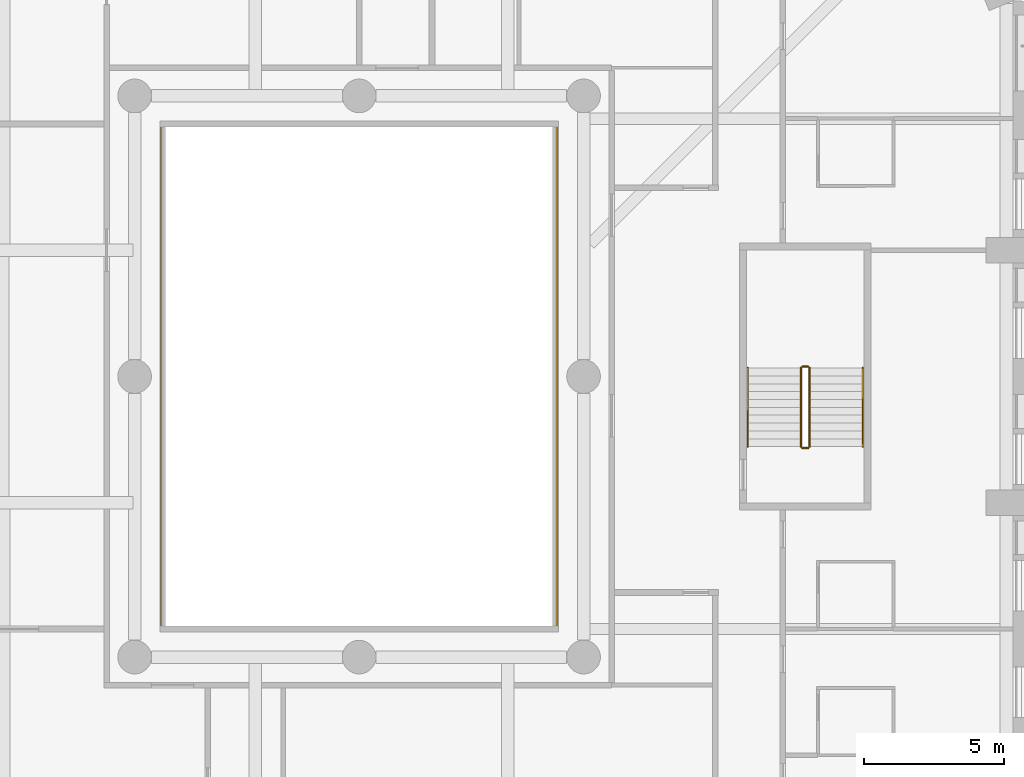
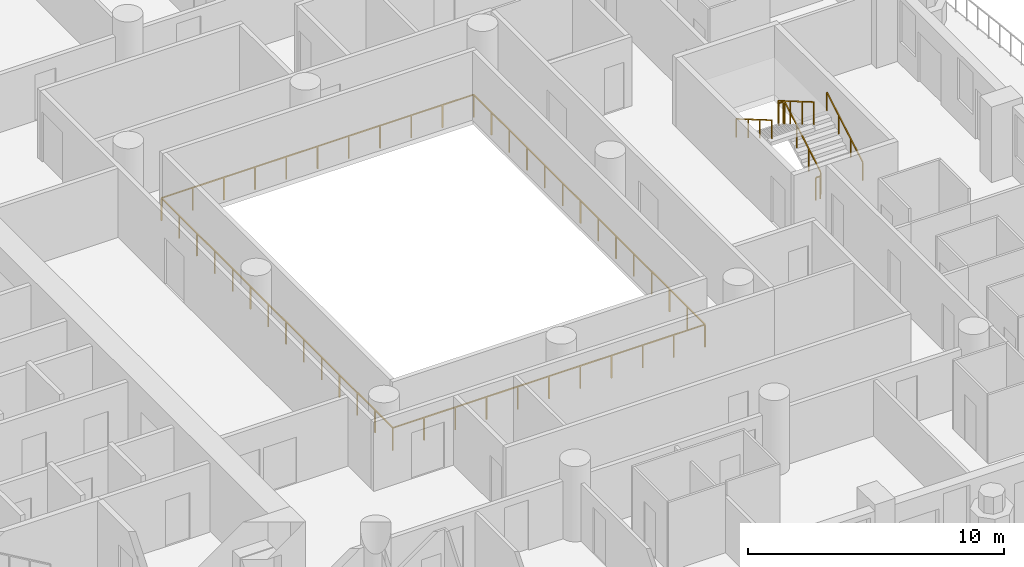
# One storey, part 15 of 20: 7 railings.
"""IFC4 building model written with IfcOpenShell, lengths in metres."""

import ifcopenshell
import ifcopenshell.guid

model = None  # the IFC model being written
_history = None  # IfcOwnerHistory: only IFC2X3 demands one
_inside = {}  # id of a spatial element -> (the spatial element, [elements in it])
_under = {}  # id of a project, library or spatial element -> (it, [spatial elements below it])
_declared = {}  # id of a project -> (the project, [libraries it declares])
_typed = {}  # id of a type object -> (the type object, [elements of that type])
_made_of = {}  # id of a material, layer set ... -> (it, [elements and type objects made of it])


def new_model(schema):
    """Start an empty IFC model of exactly this schema.

    Asked for "IFC4X3", IfcOpenShell would pick the latest addendum, in which some entities
    have other attributes; the version numbers below select the first issue.
    IFC2X3 requires an IfcOwnerHistory on every rooted entity: one is made here for all.
    """
    global model, _history
    if schema == "IFC4X3":
        model = ifcopenshell.file(schema_version=(4, 3, 0, 0))
    else:
        model = ifcopenshell.file(schema=schema)
    _inside.clear()
    _under.clear()
    _declared.clear()
    _typed.clear()
    _made_of.clear()
    _history = None
    if model.schema == "IFC2X3":
        org = make("IfcOrganization", Name="unknown")
        user = make(
            "IfcPersonAndOrganization",
            ThePerson=make("IfcPerson", FamilyName="unknown"),
            TheOrganization=org,
        )
        app = make(
            "IfcApplication",
            ApplicationDeveloper=org,
            Version="unknown",
            ApplicationFullName="unknown",
            ApplicationIdentifier="unknown",
        )
        _history = make(
            "IfcOwnerHistory",
            OwningUser=user,
            OwningApplication=app,
            ChangeAction="ADDED",
            CreationDate=0,
        )
    return model


def make(cls, **values):
    """One entity of the class cls with the attributes given. An attribute that is None is left unset."""
    return model.create_entity(
        cls, **{name: value for name, value in values.items() if value is not None}
    )


def rooted(cls, **values):
    """An entity with a GlobalId (a new one), such as an element, a storey or a relation."""
    return make(cls, GlobalId=ifcopenshell.guid.new(), OwnerHistory=_history, **values)


def si_unit(unit_type, name, prefix=None):
    """IfcSIUnit, for example si_unit("LENGTHUNIT", "METRE", prefix="MILLI")."""
    return make("IfcSIUnit", UnitType=unit_type, Prefix=prefix, Name=name)


def assignment(units):
    """IfcUnitAssignment: the units of a project."""
    return None if units is None else make("IfcUnitAssignment", Units=units)


def point(xyz):
    """IfcCartesianPoint."""
    return None if xyz is None else make("IfcCartesianPoint", Coordinates=xyz)


def direction(xyz):
    """IfcDirection."""
    return None if xyz is None else make("IfcDirection", DirectionRatios=xyz)


def frame(location, z_axis=None, x_axis=None):
    """IfcAxis2Placement3D, a coordinate frame: its origin and axes. An axis left out is left unset."""
    return make(
        "IfcAxis2Placement3D",
        Location=point(location),
        Axis=direction(z_axis),
        RefDirection=direction(x_axis),
    )


def frame_2d(location, x_axis=None):
    """IfcAxis2Placement2D, a coordinate frame in the plane: its origin and x axis."""
    return make(
        "IfcAxis2Placement2D", Location=point(location), RefDirection=direction(x_axis)
    )


def origin():
    """The frame at (0, 0, 0) with its axes left unset."""
    return frame((0.0, 0.0, 0.0))


def origin_2d():
    """The frame at (0, 0) in the plane with its x axis left unset."""
    return frame_2d((0.0, 0.0))


def place(relative_to, where):
    """IfcLocalPlacement: puts the frame where relative to a parent placement (None: the world)."""
    return make(
        "IfcLocalPlacement", PlacementRelTo=relative_to, RelativePlacement=where
    )


def context(
    kind, dimensions, precision=None, world=None, true_north=None, identifier=None
):
    """IfcGeometricRepresentationContext, for example the 3D "Model" context."""
    return make(
        "IfcGeometricRepresentationContext",
        ContextIdentifier=identifier,
        ContextType=kind,
        CoordinateSpaceDimension=dimensions,
        Precision=precision,
        WorldCoordinateSystem=world,
        TrueNorth=true_north,
    )


def subcontext(parent, identifier, kind, view, scale=None):
    """IfcGeometricRepresentationSubContext, for example "Body" below "Model"."""
    return make(
        "IfcGeometricRepresentationSubContext",
        ContextIdentifier=identifier,
        ContextType=kind,
        ParentContext=parent,
        TargetScale=scale,
        TargetView=view,
    )


def project(units=None, contexts=None):
    """IfcProject with its units and contexts."""
    return rooted(
        "IfcProject",
        Name="project",
        RepresentationContexts=contexts,
        UnitsInContext=assignment(units),
    )


def spatial(cls, under=None, at=None, **own):
    """A site, building, storey or space (cls), placed at a placement, below another one or the project."""
    s = rooted(cls, ObjectPlacement=at, **own)
    if under is not None:
        _under.setdefault(under.id(), (under, []))[1].append(s)
    return s


def profile(cls, at=None, kind="AREA", **sizes):
    """A parametric profile (cls). Its sizes go by their IFC names, for example OverallWidth=200.0."""
    return make(cls, ProfileType=kind, Position=at, **sizes)


def rectangle(**sizes):
    """IfcRectangleProfileDef."""
    return profile("IfcRectangleProfileDef", **sizes)


def extrude(swept, where, along, depth):
    """IfcExtrudedAreaSolid: the profile swept, set in the frame where, extruded along a direction by depth."""
    return make(
        "IfcExtrudedAreaSolid",
        SweptArea=swept,
        Position=where,
        ExtrudedDirection=direction(along),
        Depth=depth,
    )


def shape(context_of_items, identifier, shape_type, items):
    """IfcShapeRepresentation: the items that make up one representation, for example the "Body"."""
    return make(
        "IfcShapeRepresentation",
        ContextOfItems=context_of_items,
        RepresentationIdentifier=identifier,
        RepresentationType=shape_type,
        Items=items,
    )


def material(Name=None, Category=None):
    """IfcMaterial."""
    return make("IfcMaterial", Name=Name, Category=Category)


def made_of(thing, what):
    """Note that an element or type object is made of a material, layer set ...; save() writes the relation."""
    if what is not None:
        _made_of.setdefault(what.id(), (what, []))[1].append(thing)
    return thing


def type_object(cls, material=None, **own):
    """A type object (cls), such as IfcWallType, which elements share."""
    return made_of(rooted(cls, **own), material)


def element(
    cls,
    number,
    at=None,
    inside=None,
    cuts=None,
    type_object=None,
    material=None,
    context=None,
    identifier="Body",
    shape_type=None,
    held_by="IfcProductDefinitionShape",
    body=None,
    shapes=None,
    **own,
):
    """One element of the class cls, such as IfcWall. Its Tag is "e" and its number.

    at: its placement. inside: the storey or other place that contains it. cuts: it is an
    opening in that element (IfcRelVoidsElement). A single representation is given by context,
    identifier, shape_type and body (its items); several are given by shapes. held_by: the class
    of the entity that holds the representations. save() writes the other relations.
    """
    e = rooted(cls, Tag="e%d" % number, ObjectPlacement=at, **own)
    if body is not None:
        shapes = [shape(context, identifier, shape_type, body)]
    if shapes is not None:
        e.Representation = make(held_by, Representations=shapes)
    if inside is not None:
        _inside.setdefault(inside.id(), (inside, []))[1].append(e)
    if cuts is not None:
        rooted(
            "IfcRelVoidsElement", RelatingBuildingElement=cuts, RelatedOpeningElement=e
        )
    if type_object is not None:
        _typed.setdefault(type_object.id(), (type_object, []))[1].append(e)
    return made_of(e, material)


def aggregate(whole, parts):
    """IfcRelAggregates: a whole, such as a stair, and the parts it consists of."""
    return rooted("IfcRelAggregates", RelatingObject=whole, RelatedObjects=parts)


def save(model, path):
    """Write the relations noted so far, then the file.

    IfcRelAggregates (storeys below a building ...), IfcRelContainedInSpatialStructure (elements
    in a storey), IfcRelDefinesByType, IfcRelAssociatesMaterial and IfcRelDeclares: one each for
    every whole, place, type object, material and project.
    """
    for whole, parts in _under.values():
        aggregate(whole, parts)
    for where, things in _inside.values():
        rooted(
            "IfcRelContainedInSpatialStructure",
            RelatedElements=things,
            RelatingStructure=where,
        )
    for kind, things in _typed.values():
        rooted("IfcRelDefinesByType", RelatedObjects=things, RelatingType=kind)
    for what, things in _made_of.values():
        rooted("IfcRelAssociatesMaterial", RelatedObjects=things, RelatingMaterial=what)
    for by, libraries in _declared.values():
        rooted("IfcRelDeclares", RelatingContext=by, RelatedDefinitions=libraries)
    model.write(path)


model = new_model("IFC4")

# Units and contexts
model_context = context("Model", 3, precision=1e-05, world=origin(), true_north=direction((0.0, 1.0)))
body_context = subcontext(model_context, "Body", "Model", "MODEL_VIEW")
ifc_project = project(units=[si_unit("LENGTHUNIT", "METRE"), si_unit("AREAUNIT", "SQUARE_METRE"), si_unit("VOLUMEUNIT", "CUBIC_METRE"), si_unit("PLANEANGLEUNIT", "RADIAN"), si_unit("MASSUNIT", "GRAM", prefix="KILO")], contexts=[model_context])

# Site, building, storey
site_placement = place(None, origin())
site = spatial("IfcSite", under=ifc_project, at=site_placement, CompositionType="ELEMENT")
building_placement = place(site_placement, origin())
building = spatial("IfcBuilding", under=site, at=building_placement, Name="Cypress Arch Tower", CompositionType="ELEMENT")
storey_placement = place(building_placement, frame((0.0, 0.0, 77.10009765625)))
storey = spatial("IfcBuildingStorey", under=building, at=storey_placement, Name="L13", CompositionType="ELEMENT", Elevation=77.10009765625)

# Railings
ifc_material_1 = material(Name="Stainless steel posts and handrail, laminated glass infill", Category="steel")
railing_type_1 = type_object("IfcRailingType", Name="Atrium guard GR1100A", PredefinedType="GUARDRAIL", material=ifc_material_1)
railing_1_placement = place(storey_placement, frame((8.050048828125, -9.050048828125, 0.0)))
element("IfcRailing", 1, at=railing_1_placement, inside=storey, type_object=railing_type_1, Name="Atrium guard L13", PredefinedType="GUARDRAIL", context=body_context, shape_type="SweptSolid", body=[
    extrude(rectangle(XDim=0.050048828125, YDim=0.050048828125, at=origin_2d()), frame((0.0, 0.0, 1.0751953125), z_axis=(-1.0, 0.0, 0.0), x_axis=(0.0, -1.0, 0.0)), (0.0, 0.0, 1.0), 14.10009765625),
    extrude(rectangle(XDim=0.050048828125, YDim=0.050048828125, at=origin_2d()), frame((-14.10009765625, 0.0, 1.0751953125), z_axis=(0.0, 1.0, 0.0), x_axis=(-1.0, 0.0, 0.0)), (0.0, 0.0, 1.0), 18.10009765625),
    extrude(rectangle(XDim=0.050048828125, YDim=0.050048828125, at=origin_2d()), frame((-14.10009765625, 18.10009765625, 1.0751953125), z_axis=(1.0, 0.0, 0.0), x_axis=(0.0, 1.0, 0.0)), (0.0, 0.0, 1.0), 14.10009765625),
    extrude(rectangle(XDim=0.050048828125, YDim=0.050048828125, at=origin_2d()), frame((0.0, 18.10009765625, 1.0751953125), z_axis=(0.0, -1.0, 0.0), x_axis=(1.0, 0.0, 0.0)), (0.0, 0.0, 1.0), 18.10009765625),
    extrude(rectangle(XDim=0.050048828125, YDim=0.050048828125, at=origin_2d()), origin(), (0.0, 0.0, 1.0), 1.050048828125),
    extrude(rectangle(XDim=0.050048828125, YDim=0.050048828125, at=origin_2d()), frame((-1.409912109375, 0.0, 0.0)), (0.0, 0.0, 1.0), 1.050048828125),
    extrude(rectangle(XDim=0.050048828125, YDim=0.050048828125, at=origin_2d()), frame((-2.820068359375, 0.0, 0.0)), (0.0, 0.0, 1.0), 1.050048828125),
    extrude(rectangle(XDim=0.050048828125, YDim=0.050048828125, at=origin_2d()), frame((-4.22998046875, 0.0, 0.0)), (0.0, 0.0, 1.0), 1.050048828125),
    extrude(rectangle(XDim=0.050048828125, YDim=0.050048828125, at=origin_2d()), frame((-5.64013671875, 0.0, 0.0)), (0.0, 0.0, 1.0), 1.050048828125),
    extrude(rectangle(XDim=0.050048828125, YDim=0.050048828125, at=origin_2d()), frame((-7.050048828125, 0.0, 0.0)), (0.0, 0.0, 1.0), 1.050048828125),
    extrude(rectangle(XDim=0.050048828125, YDim=0.050048828125, at=origin_2d()), frame((-8.4599609375, 0.0, 0.0)), (0.0, 0.0, 1.0), 1.050048828125),
    extrude(rectangle(XDim=0.050048828125, YDim=0.050048828125, at=origin_2d()), frame((-9.8701171875, 0.0, 0.0)), (0.0, 0.0, 1.0), 1.050048828125),
    extrude(rectangle(XDim=0.050048828125, YDim=0.050048828125, at=origin_2d()), frame((-11.280029296875, 0.0, 0.0)), (0.0, 0.0, 1.0), 1.050048828125),
    extrude(rectangle(XDim=0.050048828125, YDim=0.050048828125, at=origin_2d()), frame((-12.690185546875, 0.0, 0.0)), (0.0, 0.0, 1.0), 1.050048828125),
    extrude(rectangle(XDim=0.050048828125, YDim=0.050048828125, at=origin_2d()), frame((-14.10009765625, 0.0, 0.0)), (0.0, 0.0, 1.0), 1.050048828125),
    extrude(rectangle(XDim=0.050048828125, YDim=0.050048828125, at=origin_2d()), frame((-14.10009765625, 1.392333984375, 0.0)), (0.0, 0.0, 1.0), 1.050048828125),
    extrude(rectangle(XDim=0.050048828125, YDim=0.050048828125, at=origin_2d()), frame((-14.10009765625, 2.78466796875, 0.0)), (0.0, 0.0, 1.0), 1.050048828125),
    extrude(rectangle(XDim=0.050048828125, YDim=0.050048828125, at=origin_2d()), frame((-14.10009765625, 4.177001953125, 0.0)), (0.0, 0.0, 1.0), 1.050048828125),
    extrude(rectangle(XDim=0.050048828125, YDim=0.050048828125, at=origin_2d()), frame((-14.10009765625, 5.5693359375, 0.0)), (0.0, 0.0, 1.0), 1.050048828125),
    extrude(rectangle(XDim=0.050048828125, YDim=0.050048828125, at=origin_2d()), frame((-14.10009765625, 6.961669921875, 0.0)), (0.0, 0.0, 1.0), 1.050048828125),
    extrude(rectangle(XDim=0.050048828125, YDim=0.050048828125, at=origin_2d()), frame((-14.10009765625, 8.35400390625, 0.0)), (0.0, 0.0, 1.0), 1.050048828125),
    extrude(rectangle(XDim=0.050048828125, YDim=0.050048828125, at=origin_2d()), frame((-14.10009765625, 9.74609375, 0.0)), (0.0, 0.0, 1.0), 1.050048828125),
    extrude(rectangle(XDim=0.050048828125, YDim=0.050048828125, at=origin_2d()), frame((-14.10009765625, 11.138427734375, 0.0)), (0.0, 0.0, 1.0), 1.050048828125),
    extrude(rectangle(XDim=0.050048828125, YDim=0.050048828125, at=origin_2d()), frame((-14.10009765625, 12.53076171875, 0.0)), (0.0, 0.0, 1.0), 1.050048828125),
    extrude(rectangle(XDim=0.050048828125, YDim=0.050048828125, at=origin_2d()), frame((-14.10009765625, 13.923095703125, 0.0)), (0.0, 0.0, 1.0), 1.050048828125),
    extrude(rectangle(XDim=0.050048828125, YDim=0.050048828125, at=origin_2d()), frame((-14.10009765625, 15.3154296875, 0.0)), (0.0, 0.0, 1.0), 1.050048828125),
    extrude(rectangle(XDim=0.050048828125, YDim=0.050048828125, at=origin_2d()), frame((-14.10009765625, 16.707763671875, 0.0)), (0.0, 0.0, 1.0), 1.050048828125),
    extrude(rectangle(XDim=0.050048828125, YDim=0.050048828125, at=origin_2d()), frame((-14.10009765625, 18.10009765625, 0.0)), (0.0, 0.0, 1.0), 1.050048828125),
    extrude(rectangle(XDim=0.050048828125, YDim=0.050048828125, at=origin_2d()), frame((-12.690185546875, 18.10009765625, 0.0)), (0.0, 0.0, 1.0), 1.050048828125),
    extrude(rectangle(XDim=0.050048828125, YDim=0.050048828125, at=origin_2d()), frame((-11.280029296875, 18.10009765625, 0.0)), (0.0, 0.0, 1.0), 1.050048828125),
    extrude(rectangle(XDim=0.050048828125, YDim=0.050048828125, at=origin_2d()), frame((-9.8701171875, 18.10009765625, 0.0)), (0.0, 0.0, 1.0), 1.050048828125),
    extrude(rectangle(XDim=0.050048828125, YDim=0.050048828125, at=origin_2d()), frame((-8.4599609375, 18.10009765625, 0.0)), (0.0, 0.0, 1.0), 1.050048828125),
    extrude(rectangle(XDim=0.050048828125, YDim=0.050048828125, at=origin_2d()), frame((-7.050048828125, 18.10009765625, 0.0)), (0.0, 0.0, 1.0), 1.050048828125),
    extrude(rectangle(XDim=0.050048828125, YDim=0.050048828125, at=origin_2d()), frame((-5.64013671875, 18.10009765625, 0.0)), (0.0, 0.0, 1.0), 1.050048828125),
    extrude(rectangle(XDim=0.050048828125, YDim=0.050048828125, at=origin_2d()), frame((-4.22998046875, 18.10009765625, 0.0)), (0.0, 0.0, 1.0), 1.050048828125),
    extrude(rectangle(XDim=0.050048828125, YDim=0.050048828125, at=origin_2d()), frame((-2.820068359375, 18.10009765625, 0.0)), (0.0, 0.0, 1.0), 1.050048828125),
    extrude(rectangle(XDim=0.050048828125, YDim=0.050048828125, at=origin_2d()), frame((-1.409912109375, 18.10009765625, 0.0)), (0.0, 0.0, 1.0), 1.050048828125),
    extrude(rectangle(XDim=0.050048828125, YDim=0.050048828125, at=origin_2d()), frame((0.0, 18.10009765625, 0.0)), (0.0, 0.0, 1.0), 1.050048828125),
    extrude(rectangle(XDim=0.050048828125, YDim=0.050048828125, at=origin_2d()), frame((0.0, 16.707763671875, 0.0)), (0.0, 0.0, 1.0), 1.050048828125),
    extrude(rectangle(XDim=0.050048828125, YDim=0.050048828125, at=origin_2d()), frame((0.0, 15.3154296875, 0.0)), (0.0, 0.0, 1.0), 1.050048828125),
    extrude(rectangle(XDim=0.050048828125, YDim=0.050048828125, at=origin_2d()), frame((0.0, 13.923095703125, 0.0)), (0.0, 0.0, 1.0), 1.050048828125),
    extrude(rectangle(XDim=0.050048828125, YDim=0.050048828125, at=origin_2d()), frame((0.0, 12.53076171875, 0.0)), (0.0, 0.0, 1.0), 1.050048828125),
    extrude(rectangle(XDim=0.050048828125, YDim=0.050048828125, at=origin_2d()), frame((0.0, 11.138427734375, 0.0)), (0.0, 0.0, 1.0), 1.050048828125),
    extrude(rectangle(XDim=0.050048828125, YDim=0.050048828125, at=origin_2d()), frame((0.0, 9.74609375, 0.0)), (0.0, 0.0, 1.0), 1.050048828125),
    extrude(rectangle(XDim=0.050048828125, YDim=0.050048828125, at=origin_2d()), frame((0.0, 8.35400390625, 0.0)), (0.0, 0.0, 1.0), 1.050048828125),
    extrude(rectangle(XDim=0.050048828125, YDim=0.050048828125, at=origin_2d()), frame((0.0, 6.961669921875, 0.0)), (0.0, 0.0, 1.0), 1.050048828125),
    extrude(rectangle(XDim=0.050048828125, YDim=0.050048828125, at=origin_2d()), frame((0.0, 5.5693359375, 0.0)), (0.0, 0.0, 1.0), 1.050048828125),
    extrude(rectangle(XDim=0.050048828125, YDim=0.050048828125, at=origin_2d()), frame((0.0, 4.177001953125, 0.0)), (0.0, 0.0, 1.0), 1.050048828125),
    extrude(rectangle(XDim=0.050048828125, YDim=0.050048828125, at=origin_2d()), frame((0.0, 2.78466796875, 0.0)), (0.0, 0.0, 1.0), 1.050048828125),
    extrude(rectangle(XDim=0.050048828125, YDim=0.050048828125, at=origin_2d()), frame((0.0, 1.392333984375, 0.0)), (0.0, 0.0, 1.0), 1.050048828125),
])
ifc_material_2 = material(Name="Black powder-coated steel square bar 48 mm", Category="steel")
railing_type_2 = type_object("IfcRailingType", Name="Stair handrail HR1", PredefinedType="HANDRAIL", material=ifc_material_2)
railing_2_placement = place(storey_placement, frame((18.949951171875, -2.5, 0.16357421875)))
element("IfcRailing", 2, at=railing_2_placement, inside=storey, type_object=railing_type_2, Name="L13 C stair handrail 1", PredefinedType="HANDRAIL", context=body_context, shape_type="SweptSolid", body=[
    extrude(rectangle(XDim=0.048095703125, YDim=0.048095703125, at=origin_2d()), frame((0.0, 0.0, 0.8759765625), z_axis=(0.0, 0.863393664356, 0.504530851732), x_axis=(-1.0, 0.0, 0.0)), (0.0, 0.0, 1.0), 3.2431640625),
    extrude(rectangle(XDim=0.0419921875, YDim=0.0419921875, at=origin_2d()), origin(), (0.0, 0.0, 1.0), 0.851806640625),
    extrude(rectangle(XDim=0.0419921875, YDim=0.0419921875, at=origin_2d()), frame((0.0, 0.933349609375, 0.54541015625)), (0.0, 0.0, 1.0), 0.851806640625),
    extrude(rectangle(XDim=0.0419921875, YDim=0.0419921875, at=origin_2d()), frame((0.0, 1.86669921875, 1.0908203125)), (0.0, 0.0, 1.0), 0.851806640625),
    extrude(rectangle(XDim=0.0419921875, YDim=0.0419921875, at=origin_2d()), frame((0.0, 2.800048828125, 1.63623046875)), (0.0, 0.0, 1.0), 0.851806640625),
])
railing_3_placement = place(storey_placement, frame((14.85009765625, 0.300048828125, 1.963623046875)))
element("IfcRailing", 3, at=railing_3_placement, inside=storey, type_object=railing_type_2, Name="L13 C stair handrail 2", PredefinedType="HANDRAIL", context=body_context, shape_type="SweptSolid", body=[
    extrude(rectangle(XDim=0.048095703125, YDim=0.048095703125, at=origin_2d()), frame((0.0, 0.0, 0.8759765625), z_axis=(0.0, -0.863393664356, 0.504530851732), x_axis=(1.0, 0.0, 0.0)), (0.0, 0.0, 1.0), 3.2431640625),
    extrude(rectangle(XDim=0.0419921875, YDim=0.0419921875, at=origin_2d()), origin(), (0.0, 0.0, 1.0), 0.851806640625),
    extrude(rectangle(XDim=0.0419921875, YDim=0.0419921875, at=origin_2d()), frame((0.0, -0.933349609375, 0.54541015625)), (0.0, 0.0, 1.0), 0.851806640625),
    extrude(rectangle(XDim=0.0419921875, YDim=0.0419921875, at=origin_2d()), frame((0.0, -1.86669921875, 1.0908203125)), (0.0, 0.0, 1.0), 0.851806640625),
    extrude(rectangle(XDim=0.0419921875, YDim=0.0419921875, at=origin_2d()), frame((0.0, -2.800048828125, 1.63623046875)), (0.0, 0.0, 1.0), 0.851806640625),
])
ifc_material_3 = material(Name="Black powder-coated steel balusters", Category="steel")
railing_type_3 = type_object("IfcRailingType", Name="Stair well guard G1", PredefinedType="GUARDRAIL", material=ifc_material_3)
railing_4_placement = place(storey_placement, frame((17.050048828125, -2.5, 0.16357421875)))
element("IfcRailing", 4, at=railing_4_placement, inside=storey, type_object=railing_type_3, Name="L13 C stair guard 1", PredefinedType="GUARDRAIL", context=body_context, shape_type="SweptSolid", body=[
    extrude(rectangle(XDim=0.048095703125, YDim=0.048095703125, at=origin_2d()), frame((0.0, 0.0, 1.076171875), z_axis=(0.0, 0.863393664356, 0.504530851732), x_axis=(-1.0, 0.0, 0.0)), (0.0, 0.0, 1.0), 3.2431640625),
    extrude(rectangle(XDim=0.0419921875, YDim=0.0419921875, at=origin_2d()), origin(), (0.0, 0.0, 1.0), 1.052001953125),
    extrude(rectangle(XDim=0.0419921875, YDim=0.0419921875, at=origin_2d()), frame((0.0, 0.933349609375, 0.54541015625)), (0.0, 0.0, 1.0), 1.052001953125),
    extrude(rectangle(XDim=0.0419921875, YDim=0.0419921875, at=origin_2d()), frame((0.0, 1.86669921875, 1.0908203125)), (0.0, 0.0, 1.0), 1.052001953125),
    extrude(rectangle(XDim=0.0419921875, YDim=0.0419921875, at=origin_2d()), frame((0.0, 2.800048828125, 1.63623046875)), (0.0, 0.0, 1.0), 1.052001953125),
])
railing_5_placement = place(storey_placement, frame((17.0, 0.35009765625, 1.7998046875)))
element("IfcRailing", 5, at=railing_5_placement, inside=storey, type_object=railing_type_3, Name="L13 C stair guard 2", PredefinedType="GUARDRAIL", context=body_context, shape_type="SweptSolid", body=[
    extrude(rectangle(XDim=0.048095703125, YDim=0.048095703125, at=origin_2d()), frame((0.0, 0.0, 1.076171875), z_axis=(-1.0, 0.0, 0.0), x_axis=(0.0, -1.0, 0.0)), (0.0, 0.0, 1.0), 0.199951171875),
    extrude(rectangle(XDim=0.0419921875, YDim=0.0419921875, at=origin_2d()), origin(), (0.0, 0.0, 1.0), 1.052001953125),
    extrude(rectangle(XDim=0.0419921875, YDim=0.0419921875, at=origin_2d()), frame((-0.199951171875, 0.0, 0.0)), (0.0, 0.0, 1.0), 1.052001953125),
])
railing_6_placement = place(storey_placement, frame((16.75, 0.300048828125, 1.963623046875)))
element("IfcRailing", 6, at=railing_6_placement, inside=storey, type_object=railing_type_3, Name="L13 C stair guard 3", PredefinedType="GUARDRAIL", context=body_context, shape_type="SweptSolid", body=[
    extrude(rectangle(XDim=0.048095703125, YDim=0.048095703125, at=origin_2d()), frame((0.0, 0.0, 1.076171875), z_axis=(0.0, -0.863393664356, 0.504530851732), x_axis=(1.0, 0.0, 0.0)), (0.0, 0.0, 1.0), 3.2431640625),
    extrude(rectangle(XDim=0.0419921875, YDim=0.0419921875, at=origin_2d()), origin(), (0.0, 0.0, 1.0), 1.052001953125),
    extrude(rectangle(XDim=0.0419921875, YDim=0.0419921875, at=origin_2d()), frame((0.0, -0.933349609375, 0.54541015625)), (0.0, 0.0, 1.0), 1.052001953125),
    extrude(rectangle(XDim=0.0419921875, YDim=0.0419921875, at=origin_2d()), frame((0.0, -1.86669921875, 1.0908203125)), (0.0, 0.0, 1.0), 1.052001953125),
    extrude(rectangle(XDim=0.0419921875, YDim=0.0419921875, at=origin_2d()), frame((0.0, -2.800048828125, 1.63623046875)), (0.0, 0.0, 1.0), 1.052001953125),
])
railing_7_placement = place(storey_placement, frame((17.0, -2.550048828125, 0.0)))
element("IfcRailing", 7, at=railing_7_placement, inside=storey, type_object=railing_type_3, Name="L13 C stair guard 4", PredefinedType="GUARDRAIL", context=body_context, shape_type="SweptSolid", body=[
    extrude(rectangle(XDim=0.048095703125, YDim=0.048095703125, at=origin_2d()), frame((0.0, 0.0, 1.076171875), z_axis=(-1.0, 0.0, 0.0), x_axis=(0.0, -1.0, 0.0)), (0.0, 0.0, 1.0), 0.199951171875),
    extrude(rectangle(XDim=0.0419921875, YDim=0.0419921875, at=origin_2d()), origin(), (0.0, 0.0, 1.0), 1.052001953125),
    extrude(rectangle(XDim=0.0419921875, YDim=0.0419921875, at=origin_2d()), frame((-0.199951171875, 0.0, 0.0)), (0.0, 0.0, 1.0), 1.052001953125),
])

save(model, "model.ifc")
